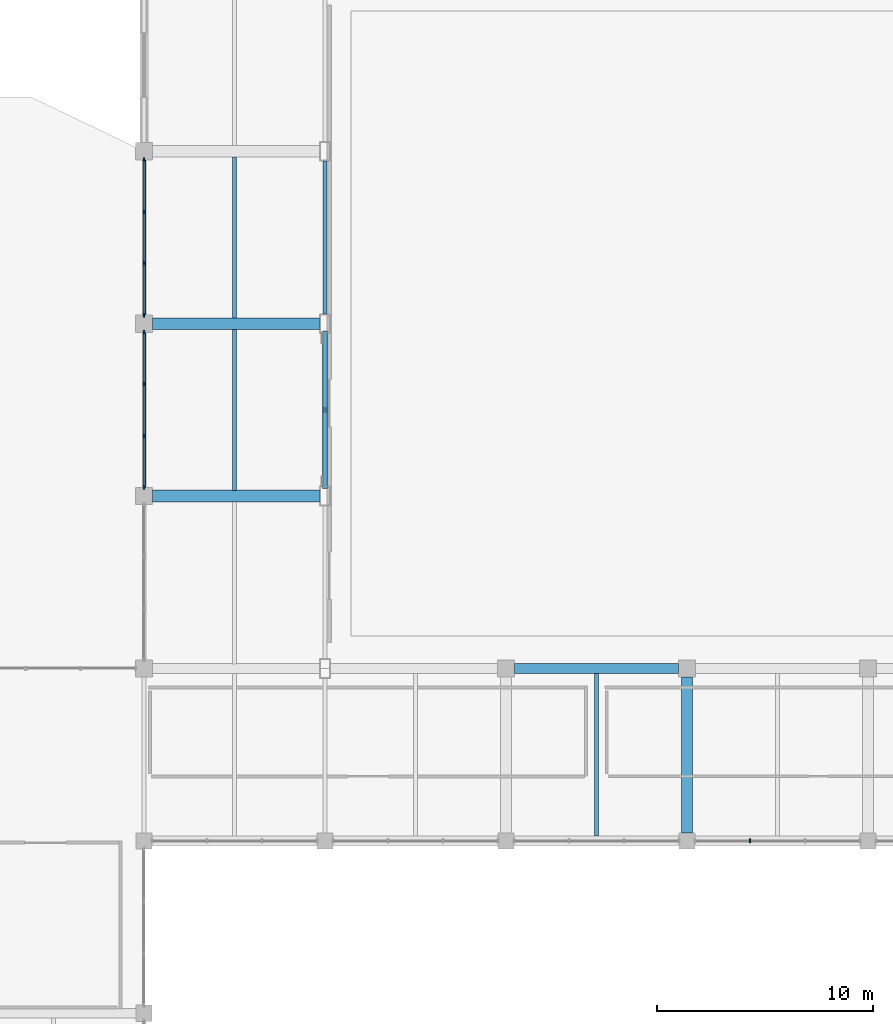
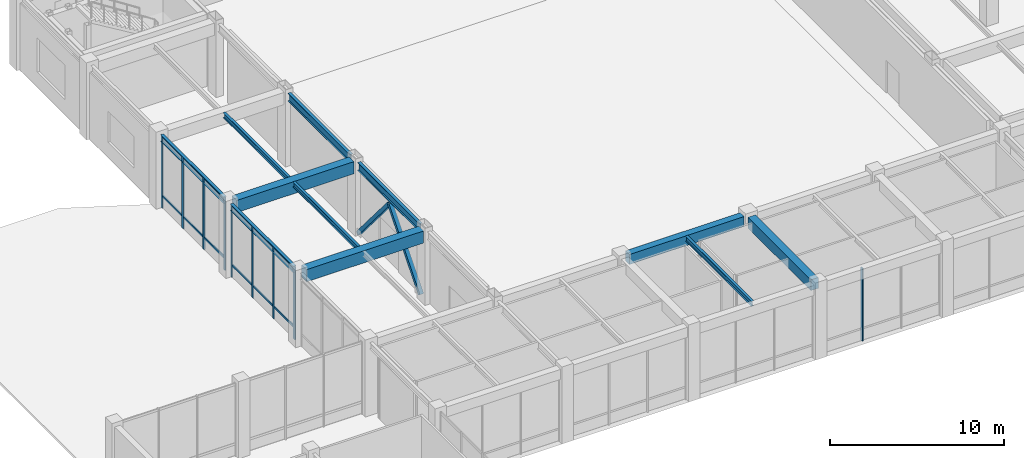
# One storey, part 38 of 79: 23 members, 11 beams, 3 elements without a shape of their own.
"""IFC4 building model written with IfcOpenShell, lengths in metres."""

from ifc_helpers import new_model, si_unit, direction, frame, origin, origin_2d, place, context, subcontext, project, spatial, rectangle, hollow_rectangle, i_section, extrude, material, layer, layer_set, material_profile, profile_set, type_object, element, aggregate, save


model = new_model("IFC4")

# Units and contexts
model_context = context("Model", 3, precision=1e-05, world=origin(), true_north=direction((0.0, 1.0)))
body_context = subcontext(model_context, "Body", "Model", "MODEL_VIEW")
ifc_project = project(units=[si_unit("LENGTHUNIT", "METRE"), si_unit("AREAUNIT", "SQUARE_METRE"), si_unit("VOLUMEUNIT", "CUBIC_METRE"), si_unit("PLANEANGLEUNIT", "RADIAN"), si_unit("MASSUNIT", "GRAM", prefix="KILO")], contexts=[model_context])

# Site, building, storey
site_placement = place(None, origin())
site = spatial("IfcSite", under=ifc_project, at=site_placement, CompositionType="ELEMENT")
building_placement = place(site_placement, origin())
building = spatial("IfcBuilding", under=site, at=building_placement, Name="Naruveol Harbour Congress Hotel", CompositionType="ELEMENT")
storey_placement = place(building_placement, frame((0.0, 0.0, 6.0)))
storey = spatial("IfcBuildingStorey", under=building, at=storey_placement, Name="L01", CompositionType="ELEMENT", Elevation=6.0)

# Beams
ifc_material_1 = material(Name="Concrete C40/50", Category="concrete")
ifc_material_profile_1 = material_profile(ifc_material_1, rectangle(XDim=0.5, YDim=0.75, at=origin_2d()), Name="RCB-500x750")
ifc_profile_set_1 = profile_set([ifc_material_profile_1], Name="Concrete C40/50")
beam_type_1 = type_object("IfcBeamType", Name="RC FLOOR GIRDER 500X750", PredefinedType="BEAM", material=ifc_profile_set_1)
beam_1_placement = place(storey_placement, frame((92.39990234375, 64.37109375, 4.7451171875), z_axis=(0.0, 1.0, 0.0), x_axis=(-1.0, 0.0, 0.0)))
element("IfcBeam", 1, at=beam_1_placement, inside=storey, type_object=beam_type_1, Name="Transverse girder L02 CB3", PredefinedType="BEAM", context=body_context, shape_type="SweptSolid", body=[
    extrude(rectangle(XDim=0.5, YDim=0.75, at=origin_2d()), origin(), (0.0, 0.0, 1.0), 7.23291015625),
])
ifc_material_2 = material(Name="Concrete C40/50", Category="concrete")
ifc_material_profile_2 = material_profile(ifc_material_2, rectangle(XDim=0.550048828125, YDim=0.85009765625, at=origin_2d()), Name="RCB-550x850")
ifc_profile_set_2 = profile_set([ifc_material_profile_2], Name="Concrete C40/50")
beam_type_2 = type_object("IfcBeamType", Name="RC PRIMARY GIRDER 550X850", PredefinedType="BEAM", material=ifc_profile_set_2)
for number, where, z_axis, x_axis, name in (
    (2, (67.595947265625, 80.0, 4.695068359375), (1.0, 0.0, 0.0), (0.0, 1.0, 0.0), "Floor girder L02 CB2"),
    (3, (67.595947265625, 88.0, 4.695068359375), (1.0, 0.0, 0.0), (0.0, 1.0, 0.0), "Floor girder L02 CB2"),
):
    element("IfcBeam", number, at=place(storey_placement, frame(where, z_axis=z_axis, x_axis=x_axis)), inside=storey, type_object=beam_type_2, Name=name, PredefinedType="BEAM", context=body_context, shape_type="SweptSolid", body=[
        extrude(rectangle(XDim=0.550048828125, YDim=0.85009765625, at=origin_2d()), origin(), (0.0, 0.0, 1.0), 7.758056640625),
    ])
ifc_material_3 = material(Name="Concrete C40/50", Category="concrete")
ifc_material_profile_3 = material_profile(ifc_material_3, rectangle(XDim=0.449951171875, YDim=0.699951171875, at=origin_2d()), Name="RCB-450x700")
ifc_profile_set_3 = profile_set([ifc_material_profile_3], Name="Concrete C40/50")
beam_type_3 = type_object("IfcBeamType", Name="RC SPANDREL BEAM 450X700", PredefinedType="SPANDREL", material=ifc_profile_set_3)
beam_2_placement = place(storey_placement, frame((84.39599609375, 72.0, 4.77001953125), z_axis=(1.0, 0.0, 0.0), x_axis=(0.0, 1.0, 0.0)))
element("IfcBeam", 4, at=beam_2_placement, inside=storey, type_object=beam_type_3, Name="Floor girder L02 SPB1", PredefinedType="SPANDREL", context=body_context, shape_type="SweptSolid", body=[
    extrude(rectangle(XDim=0.449951171875, YDim=0.699951171875, at=origin_2d()), origin(), (0.0, 0.0, 1.0), 7.60791015625),
])
ifc_material_4 = material(Name="Steel SN490", Category="steel")
ifc_material_profile_4 = material_profile(ifc_material_4, i_section(OverallWidth=0.199951171875, OverallDepth=0.550048828125, WebThickness=0.010986328125, FlangeThickness=0.01708984375, at=origin_2d()), Name="H-550x200x11x17")
ifc_profile_set_4 = profile_set([ifc_material_profile_4], Name="Steel SN490")
beam_type_4 = type_object("IfcBeamType", Name="STEEL HALL GALLERY BEAM H550", PredefinedType="BEAM", material=ifc_profile_set_4)
for number, where, z_axis, x_axis, name in (
    (5, (75.60009765625, 80.446044921875, 4.844970703125), (0.0, 1.0, 0.0), (-1.0, 0.0, 0.0), "Transverse girder L02 SB4"),
    (6, (75.60009765625, 88.446044921875, 4.844970703125), (0.0, 1.0, 0.0), (-1.0, 0.0, 0.0), "Transverse girder L02 SB4"),
):
    element("IfcBeam", number, at=place(storey_placement, frame(where, z_axis=z_axis, x_axis=x_axis)), inside=storey, type_object=beam_type_4, Name=name, PredefinedType="BEAM", context=body_context, shape_type="SweptSolid", body=[
        extrude(i_section(OverallWidth=0.199951171875, OverallDepth=0.550048828125, WebThickness=0.010986328125, FlangeThickness=0.01708984375, at=origin_2d()), origin(), (0.0, 0.0, 1.0), 7.10791015625),
    ])

# Members
ifc_material_5 = material(Name="Steel SN490", Category="steel")
ifc_material_profile_5 = material_profile(ifc_material_5, hollow_rectangle(XDim=0.25, YDim=0.25, WallThickness=0.011962890625, at=origin_2d()), Name="SHS-250x250x12")
ifc_profile_set_5 = profile_set([ifc_material_profile_5], Name="Steel SN490")
member_type_1 = type_object("IfcMemberType", Name="STEEL LATERAL FRAME BRACE SHS250", PredefinedType="BRACE", material=ifc_profile_set_5)
for number, where, z_axis, x_axis, name in (
    (7, (75.60009765625, 80.43994140625, 0.159912109375), (0.0, 0.645686146486, 0.76360290743), (-1.0, 0.0, 0.0), "Lateral chevron brace L01 #13A"),
    (8, (75.60009765625, 87.56005859375, 0.159912109375), (0.0, -0.645686146486, 0.76360290743), (1.0, 0.0, 0.0), "Lateral chevron brace L01 #13B"),
):
    element("IfcMember", number, at=place(storey_placement, frame(where, z_axis=z_axis, x_axis=x_axis)), inside=storey, type_object=member_type_1, Name=name, PredefinedType="BRACE", context=body_context, shape_type="SweptSolid", body=[
        extrude(hollow_rectangle(XDim=0.25, YDim=0.25, WallThickness=0.011962890625, at=origin_2d()), origin(), (0.0, 0.0, 1.0), 5.513671875),
    ])

# Beams
ifc_material_6 = material(Name="Steel SN490", Category="steel")
ifc_material_profile_6 = material_profile(ifc_material_6, i_section(OverallWidth=0.175048828125, OverallDepth=0.35009765625, WebThickness=0.007080078125, FlangeThickness=0.010986328125, at=origin_2d()), Name="H-350x175x7x11")
ifc_profile_set_6 = profile_set([ifc_material_profile_6], Name="Steel SN490")
beam_type_5 = type_object("IfcBeamType", Name="STEEL SECONDARY JOIST H350", PredefinedType="JOIST", material=ifc_profile_set_6)
beam_3_placement = place(storey_placement, frame((88.199951171875, 64.220947265625, 4.945068359375), z_axis=(0.0, 1.0, 0.0), x_axis=(-1.0, 0.0, 0.0)))
element("IfcBeam", 9, at=beam_3_placement, inside=storey, type_object=beam_type_5, Name="Secondary floor joist L02 SJ2", PredefinedType="JOIST", context=body_context, shape_type="SweptSolid", body=[
    extrude(i_section(OverallWidth=0.175048828125, OverallDepth=0.35009765625, WebThickness=0.007080078125, FlangeThickness=0.010986328125, at=origin_2d()), origin(), (0.0, 0.0, 1.0), 7.55810546875),
])
for number, where, z_axis, x_axis, name in (
    (10, (71.39990234375, 80.27099609375, 4.945068359375), (0.0, 1.0, 0.0), (-1.0, 0.0, 0.0), "Secondary floor joist L02 SJ2"),
    (11, (71.39990234375, 88.27099609375, 4.945068359375), (0.0, 1.0, 0.0), (-1.0, 0.0, 0.0), "Secondary floor joist L02 SJ2"),
):
    element("IfcBeam", number, at=place(storey_placement, frame(where, z_axis=z_axis, x_axis=x_axis)), inside=storey, type_object=beam_type_5, Name=name, PredefinedType="JOIST", context=body_context, shape_type="SweptSolid", body=[
        extrude(i_section(OverallWidth=0.175048828125, OverallDepth=0.35009765625, WebThickness=0.007080078125, FlangeThickness=0.010986328125, at=origin_2d()), origin(), (0.0, 0.0, 1.0), 7.4580078125),
    ])
ifc_material_7 = material(Name="Steel SN490", Category="steel")
ifc_material_profile_7 = material_profile(ifc_material_7, i_section(OverallWidth=0.199951171875, OverallDepth=0.449951171875, WebThickness=0.009033203125, FlangeThickness=0.013916015625, at=origin_2d()), Name="H-450x200x9x14")
ifc_profile_set_7 = profile_set([ifc_material_profile_7], Name="Steel SN490")
beam_type_6 = type_object("IfcBeamType", Name="STEEL SPANDREL EDGE BEAM H450", PredefinedType="SPANDREL", material=ifc_profile_set_7)
for number, where, z_axis, x_axis, name in (
    (12, (67.199951171875, 80.39599609375, 4.89501953125), (0.0, 1.0, 0.0), (-1.0, 0.0, 0.0), "Transverse girder L02 SPB2"),
    (13, (67.199951171875, 88.39599609375, 4.89501953125), (0.0, 1.0, 0.0), (-1.0, 0.0, 0.0), "Transverse girder L02 SPB2"),
):
    element("IfcBeam", number, at=place(storey_placement, frame(where, z_axis=z_axis, x_axis=x_axis)), inside=storey, type_object=beam_type_6, Name=name, PredefinedType="SPANDREL", context=body_context, shape_type="SweptSolid", body=[
        extrude(i_section(OverallWidth=0.199951171875, OverallDepth=0.449951171875, WebThickness=0.009033203125, FlangeThickness=0.013916015625, at=origin_2d()), origin(), (0.0, 0.0, 1.0), 7.2080078125),
    ])

# Curtain wall, members
ifc_material_8 = material(Name="Low-E Curtain Wall System", Category="glass")
ifc_layer_1 = layer(ifc_material_8, 0.179931640625)
ifc_layer_set_1 = layer_set([ifc_layer_1], Name="Low-E Curtain Wall System")
curtain_wall_type_1 = type_object("IfcCurtainWallType", Name="UNITISED CURTAIN WALL CW-V2W-17 7200X5100", PredefinedType="USERDEFINED", material=ifc_layer_set_1)
curtain_wall_1_placement = place(storey_placement, origin())
curtain_wall_1 = element("IfcCurtainWall", 14, at=curtain_wall_1_placement, inside=storey, type_object=curtain_wall_type_1, Name="Unitised curtain wall CW-V2W-17 L01", ObjectType="UNITISED GLAZING", PredefinedType="USERDEFINED")
ifc_material_9 = material(Name="Anodised Aluminium 6063-T6", Category="aluminium")
ifc_material_profile_8 = material_profile(ifc_material_9, rectangle(XDim=0.074951171875, YDim=0.179931640625, at=origin_2d()), Name="ALU-75x180")
ifc_profile_set_8 = profile_set([ifc_material_profile_8], Name="Anodised Aluminium 6063-T6")
member_type_2 = type_object("IfcMemberType", Name="THERMAL ALUMINIUM MULLION 75X180", PredefinedType="MULLION", material=ifc_profile_set_8)
member_1_placement = place(storey_placement, frame((67.199951171875, 80.39990234375, 0.0), z_axis=(0.0, 0.0, 1.0), x_axis=(1.0, 0.0, 0.0)))
member_1 = element("IfcMember", 15, at=member_1_placement, type_object=member_type_2, Name="Curtain wall mullion CW-L01-0037-M0", PredefinedType="MULLION", context=body_context, shape_type="SweptSolid", body=[
    extrude(rectangle(XDim=0.074951171875, YDim=0.179931640625, at=origin_2d()), origin(), (0.0, 0.0, 1.0), 5.10009765625),
])
member_2_placement = place(storey_placement, frame((67.199951171875, 82.800048828125, 0.0), z_axis=(0.0, 0.0, 1.0), x_axis=(1.0, 0.0, 0.0)))
member_2 = element("IfcMember", 16, at=member_2_placement, type_object=member_type_2, Name="Curtain wall mullion CW-L01-0037-M1", PredefinedType="MULLION", context=body_context, shape_type="SweptSolid", body=[
    extrude(rectangle(XDim=0.074951171875, YDim=0.179931640625, at=origin_2d()), origin(), (0.0, 0.0, 1.0), 5.10009765625),
])
member_3_placement = place(storey_placement, frame((67.199951171875, 85.199951171875, 0.0), z_axis=(0.0, 0.0, 1.0), x_axis=(1.0, 0.0, 0.0)))
member_3 = element("IfcMember", 17, at=member_3_placement, type_object=member_type_2, Name="Curtain wall mullion CW-L01-0037-M2", PredefinedType="MULLION", context=body_context, shape_type="SweptSolid", body=[
    extrude(rectangle(XDim=0.074951171875, YDim=0.179931640625, at=origin_2d()), origin(), (0.0, 0.0, 1.0), 5.10009765625),
])
member_4_placement = place(storey_placement, frame((67.199951171875, 87.60009765625, 0.0), z_axis=(0.0, 0.0, 1.0), x_axis=(1.0, 0.0, 0.0)))
member_4 = element("IfcMember", 18, at=member_4_placement, type_object=member_type_2, Name="Curtain wall mullion CW-L01-0037-M3", PredefinedType="MULLION", context=body_context, shape_type="SweptSolid", body=[
    extrude(rectangle(XDim=0.074951171875, YDim=0.179931640625, at=origin_2d()), origin(), (0.0, 0.0, 1.0), 5.10009765625),
])

curtain_wall_2_placement = place(storey_placement, origin())
curtain_wall_2 = element("IfcCurtainWall", 19, at=curtain_wall_2_placement, inside=storey, type_object=curtain_wall_type_1, Name="Unitised curtain wall CW-V2W-17 L01", ObjectType="UNITISED GLAZING", PredefinedType="USERDEFINED")
member_5_placement = place(storey_placement, frame((67.199951171875, 88.39990234375, 0.0), z_axis=(0.0, 0.0, 1.0), x_axis=(1.0, 0.0, 0.0)))
member_5 = element("IfcMember", 20, at=member_5_placement, type_object=member_type_2, Name="Curtain wall mullion CW-L01-0038-M0", PredefinedType="MULLION", context=body_context, shape_type="SweptSolid", body=[
    extrude(rectangle(XDim=0.074951171875, YDim=0.179931640625, at=origin_2d()), origin(), (0.0, 0.0, 1.0), 5.10009765625),
])
member_6_placement = place(storey_placement, frame((67.199951171875, 90.800048828125, 0.0), z_axis=(0.0, 0.0, 1.0), x_axis=(1.0, 0.0, 0.0)))
member_6 = element("IfcMember", 21, at=member_6_placement, type_object=member_type_2, Name="Curtain wall mullion CW-L01-0038-M1", PredefinedType="MULLION", context=body_context, shape_type="SweptSolid", body=[
    extrude(rectangle(XDim=0.074951171875, YDim=0.179931640625, at=origin_2d()), origin(), (0.0, 0.0, 1.0), 5.10009765625),
])
member_7_placement = place(storey_placement, frame((67.199951171875, 93.199951171875, 0.0), z_axis=(0.0, 0.0, 1.0), x_axis=(1.0, 0.0, 0.0)))
member_7 = element("IfcMember", 22, at=member_7_placement, type_object=member_type_2, Name="Curtain wall mullion CW-L01-0038-M2", PredefinedType="MULLION", context=body_context, shape_type="SweptSolid", body=[
    extrude(rectangle(XDim=0.074951171875, YDim=0.179931640625, at=origin_2d()), origin(), (0.0, 0.0, 1.0), 5.10009765625),
])
member_8_placement = place(storey_placement, frame((67.199951171875, 95.60009765625, 0.0), z_axis=(0.0, 0.0, 1.0), x_axis=(1.0, 0.0, 0.0)))
member_8 = element("IfcMember", 23, at=member_8_placement, type_object=member_type_2, Name="Curtain wall mullion CW-L01-0038-M3", PredefinedType="MULLION", context=body_context, shape_type="SweptSolid", body=[
    extrude(rectangle(XDim=0.074951171875, YDim=0.179931640625, at=origin_2d()), origin(), (0.0, 0.0, 1.0), 5.10009765625),
])

# Curtain wall, member
ifc_material_10 = material(Name="Low-E Curtain Wall System", Category="glass")
ifc_layer_2 = layer(ifc_material_10, 0.179931640625)
ifc_layer_set_2 = layer_set([ifc_layer_2], Name="Low-E Curtain Wall System")
curtain_wall_type_2 = type_object("IfcCurtainWallType", Name="UNITISED CURTAIN WALL CW-CTN-34 7650X5100", PredefinedType="USERDEFINED", material=ifc_layer_set_2)
curtain_wall_3_placement = place(storey_placement, origin())
curtain_wall_3 = element("IfcCurtainWall", 24, at=curtain_wall_3_placement, inside=storey, type_object=curtain_wall_type_2, Name="Unitised curtain wall CW-CTN-34 L01", ObjectType="UNITISED GLAZING", PredefinedType="USERDEFINED")
member_9_placement = place(storey_placement, frame((95.324951171875, 64.0, 0.0), z_axis=(0.0, 0.0, 1.0), x_axis=(1.0, 0.0, 0.0)))
member_9 = element("IfcMember", 25, at=member_9_placement, type_object=member_type_2, Name="Curtain wall mullion CW-L01-0084-M2", PredefinedType="MULLION", context=body_context, shape_type="SweptSolid", body=[
    extrude(rectangle(XDim=0.074951171875, YDim=0.179931640625, at=origin_2d()), origin(), (0.0, 0.0, 1.0), 5.10009765625),
])
aggregate(curtain_wall_3, [member_9])

# Member
ifc_material_11 = material(Name="Anodised Aluminium 6063-T6", Category="aluminium")
ifc_material_profile_9 = material_profile(ifc_material_11, rectangle(XDim=0.074951171875, YDim=0.14990234375, at=origin_2d()), Name="ALU-75x150")
ifc_profile_set_9 = profile_set([ifc_material_profile_9], Name="Anodised Aluminium 6063-T6")
member_type_3 = type_object("IfcMemberType", Name="THERMAL ALUMINIUM TRANSOM 75X150", PredefinedType="USERDEFINED", material=ifc_profile_set_9)
member_10_placement = place(storey_placement, frame((67.199951171875, 80.43994140625, 0.85009765625), z_axis=(0.0, 1.0, 0.0), x_axis=(-1.0, 0.0, 0.0)))
member_10 = element("IfcMember", 26, at=member_10_placement, type_object=member_type_3, Name="Curtain wall transom CW-L01-0037-T0.1", ObjectType="TRANSOM", PredefinedType="USERDEFINED", context=body_context, shape_type="SweptSolid", body=[
    extrude(rectangle(XDim=0.074951171875, YDim=0.14990234375, at=origin_2d()), origin(), (0.0, 0.0, 1.0), 2.320068359375),
])

member_11_placement = place(storey_placement, frame((67.199951171875, 80.43994140625, 5.02001953125), z_axis=(0.0, 1.0, 0.0), x_axis=(-1.0, 0.0, 0.0)))
member_11 = element("IfcMember", 27, at=member_11_placement, type_object=member_type_3, Name="Curtain wall transom CW-L01-0037-T0.2", ObjectType="TRANSOM", PredefinedType="USERDEFINED", context=body_context, shape_type="SweptSolid", body=[
    extrude(rectangle(XDim=0.074951171875, YDim=0.14990234375, at=origin_2d()), origin(), (0.0, 0.0, 1.0), 2.320068359375),
])

member_12_placement = place(storey_placement, frame((67.199951171875, 82.840087890625, 0.85009765625), z_axis=(0.0, 1.0, 0.0), x_axis=(-1.0, 0.0, 0.0)))
member_12 = element("IfcMember", 28, at=member_12_placement, type_object=member_type_3, Name="Curtain wall transom CW-L01-0037-T1.1", ObjectType="TRANSOM", PredefinedType="USERDEFINED", context=body_context, shape_type="SweptSolid", body=[
    extrude(rectangle(XDim=0.074951171875, YDim=0.14990234375, at=origin_2d()), origin(), (0.0, 0.0, 1.0), 2.31982421875),
])

member_13_placement = place(storey_placement, frame((67.199951171875, 82.840087890625, 5.02001953125), z_axis=(0.0, 1.0, 0.0), x_axis=(-1.0, 0.0, 0.0)))
member_13 = element("IfcMember", 29, at=member_13_placement, type_object=member_type_3, Name="Curtain wall transom CW-L01-0037-T1.2", ObjectType="TRANSOM", PredefinedType="USERDEFINED", context=body_context, shape_type="SweptSolid", body=[
    extrude(rectangle(XDim=0.074951171875, YDim=0.14990234375, at=origin_2d()), origin(), (0.0, 0.0, 1.0), 2.31982421875),
])

member_14_placement = place(storey_placement, frame((67.199951171875, 85.239990234375, 0.85009765625), z_axis=(0.0, 1.0, 0.0), x_axis=(-1.0, 0.0, 0.0)))
member_14 = element("IfcMember", 30, at=member_14_placement, type_object=member_type_3, Name="Curtain wall transom CW-L01-0037-T2.1", ObjectType="TRANSOM", PredefinedType="USERDEFINED", context=body_context, shape_type="SweptSolid", body=[
    extrude(rectangle(XDim=0.074951171875, YDim=0.14990234375, at=origin_2d()), origin(), (0.0, 0.0, 1.0), 2.320068359375),
])

member_15_placement = place(storey_placement, frame((67.199951171875, 85.239990234375, 5.02001953125), z_axis=(0.0, 1.0, 0.0), x_axis=(-1.0, 0.0, 0.0)))
member_15 = element("IfcMember", 31, at=member_15_placement, type_object=member_type_3, Name="Curtain wall transom CW-L01-0037-T2.2", ObjectType="TRANSOM", PredefinedType="USERDEFINED", context=body_context, shape_type="SweptSolid", body=[
    extrude(rectangle(XDim=0.074951171875, YDim=0.14990234375, at=origin_2d()), origin(), (0.0, 0.0, 1.0), 2.320068359375),
])

aggregate(curtain_wall_1, [member_1, member_2, member_3, member_4, member_10, member_11, member_12, member_13, member_14, member_15])

member_16_placement = place(storey_placement, frame((67.199951171875, 88.43994140625, 0.85009765625), z_axis=(0.0, 1.0, 0.0), x_axis=(-1.0, 0.0, 0.0)))
member_16 = element("IfcMember", 32, at=member_16_placement, type_object=member_type_3, Name="Curtain wall transom CW-L01-0038-T0.1", ObjectType="TRANSOM", PredefinedType="USERDEFINED", context=body_context, shape_type="SweptSolid", body=[
    extrude(rectangle(XDim=0.074951171875, YDim=0.14990234375, at=origin_2d()), origin(), (0.0, 0.0, 1.0), 2.320068359375),
])

member_17_placement = place(storey_placement, frame((67.199951171875, 88.43994140625, 5.02001953125), z_axis=(0.0, 1.0, 0.0), x_axis=(-1.0, 0.0, 0.0)))
member_17 = element("IfcMember", 33, at=member_17_placement, type_object=member_type_3, Name="Curtain wall transom CW-L01-0038-T0.2", ObjectType="TRANSOM", PredefinedType="USERDEFINED", context=body_context, shape_type="SweptSolid", body=[
    extrude(rectangle(XDim=0.074951171875, YDim=0.14990234375, at=origin_2d()), origin(), (0.0, 0.0, 1.0), 2.320068359375),
])

member_18_placement = place(storey_placement, frame((67.199951171875, 90.840087890625, 0.85009765625), z_axis=(0.0, 1.0, 0.0), x_axis=(-1.0, 0.0, 0.0)))
member_18 = element("IfcMember", 34, at=member_18_placement, type_object=member_type_3, Name="Curtain wall transom CW-L01-0038-T1.1", ObjectType="TRANSOM", PredefinedType="USERDEFINED", context=body_context, shape_type="SweptSolid", body=[
    extrude(rectangle(XDim=0.074951171875, YDim=0.14990234375, at=origin_2d()), origin(), (0.0, 0.0, 1.0), 2.31982421875),
])

member_19_placement = place(storey_placement, frame((67.199951171875, 90.840087890625, 5.02001953125), z_axis=(0.0, 1.0, 0.0), x_axis=(-1.0, 0.0, 0.0)))
member_19 = element("IfcMember", 35, at=member_19_placement, type_object=member_type_3, Name="Curtain wall transom CW-L01-0038-T1.2", ObjectType="TRANSOM", PredefinedType="USERDEFINED", context=body_context, shape_type="SweptSolid", body=[
    extrude(rectangle(XDim=0.074951171875, YDim=0.14990234375, at=origin_2d()), origin(), (0.0, 0.0, 1.0), 2.31982421875),
])

member_20_placement = place(storey_placement, frame((67.199951171875, 93.239990234375, 0.85009765625), z_axis=(0.0, 1.0, 0.0), x_axis=(-1.0, 0.0, 0.0)))
member_20 = element("IfcMember", 36, at=member_20_placement, type_object=member_type_3, Name="Curtain wall transom CW-L01-0038-T2.1", ObjectType="TRANSOM", PredefinedType="USERDEFINED", context=body_context, shape_type="SweptSolid", body=[
    extrude(rectangle(XDim=0.074951171875, YDim=0.14990234375, at=origin_2d()), origin(), (0.0, 0.0, 1.0), 2.320068359375),
])

member_21_placement = place(storey_placement, frame((67.199951171875, 93.239990234375, 5.02001953125), z_axis=(0.0, 1.0, 0.0), x_axis=(-1.0, 0.0, 0.0)))
member_21 = element("IfcMember", 37, at=member_21_placement, type_object=member_type_3, Name="Curtain wall transom CW-L01-0038-T2.2", ObjectType="TRANSOM", PredefinedType="USERDEFINED", context=body_context, shape_type="SweptSolid", body=[
    extrude(rectangle(XDim=0.074951171875, YDim=0.14990234375, at=origin_2d()), origin(), (0.0, 0.0, 1.0), 2.320068359375),
])

aggregate(curtain_wall_2, [member_5, member_6, member_7, member_8, member_16, member_17, member_18, member_19, member_20, member_21])

save(model, "model.ifc")
